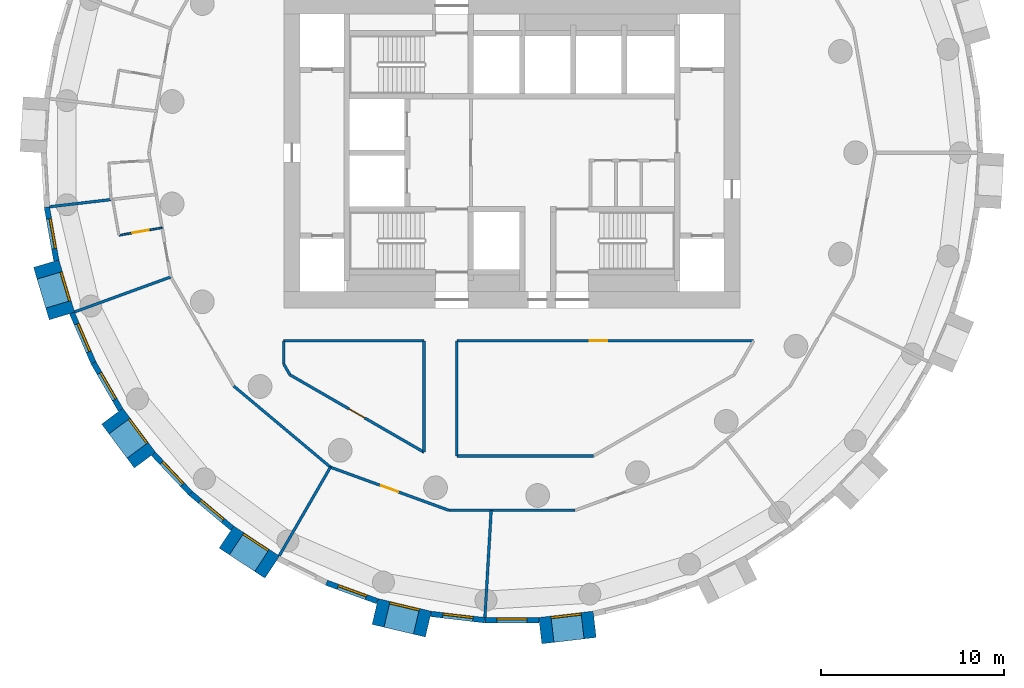
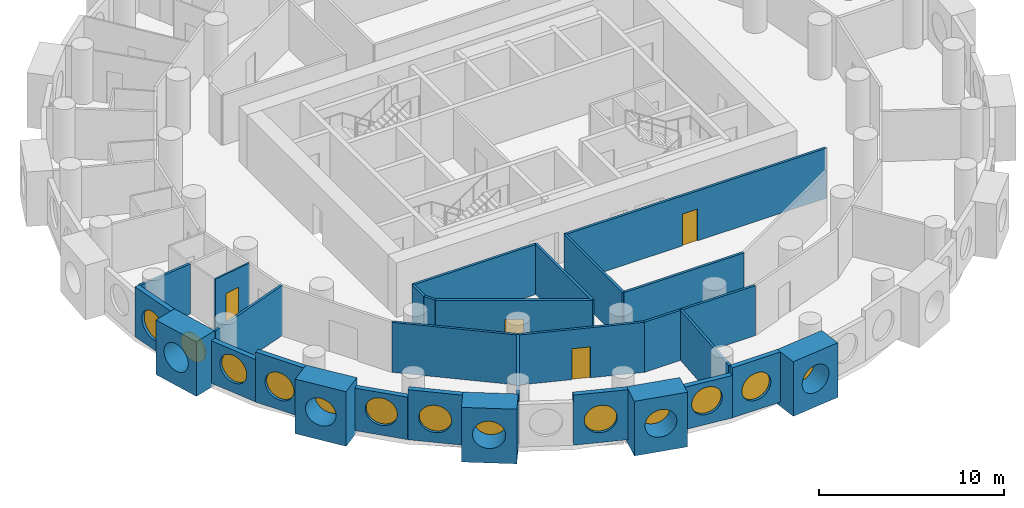
# One storey, part 2 of 10: 29 walls, 13 windows, 4 doors, 17 openings.
"""IFC4 building model written with IfcOpenShell, lengths in metres."""

from ifc_helpers import new_model, si_unit, direction, frame, frame_2d, origin, origin_2d, place, context, subcontext, project, spatial, rectangle, circle, extrude, material, layer, layer_set, type_object, element, fill, save


model = new_model("IFC4")

# Units and contexts
model_context = context("Model", 3, precision=1e-05, world=origin(), true_north=direction((0.0, 1.0)))
body_context = subcontext(model_context, "Body", "Model", "MODEL_VIEW")
ifc_project = project(units=[si_unit("LENGTHUNIT", "METRE"), si_unit("AREAUNIT", "SQUARE_METRE"), si_unit("VOLUMEUNIT", "CUBIC_METRE"), si_unit("PLANEANGLEUNIT", "RADIAN"), si_unit("MASSUNIT", "GRAM", prefix="KILO")], contexts=[model_context])

# Site, building, storey
site_placement = place(None, origin())
site = spatial("IfcSite", under=ifc_project, at=site_placement, CompositionType="ELEMENT")
building_placement = place(site_placement, origin())
building = spatial("IfcBuilding", under=site, at=building_placement, Name="Tracery Tower", CompositionType="ELEMENT")
storey_placement = place(building_placement, frame((0.0, 0.0, 136.800048828125)))
storey = spatial("IfcBuildingStorey", under=building, at=storey_placement, Name="L34", CompositionType="ELEMENT", Elevation=136.800048828125)

# Wall, opening, window
ifc_material_1 = material(Name="Precast concrete C50/60", Category="concrete")
ifc_layer_1 = layer(ifc_material_1, 1.449951171875)
ifc_layer_set_1 = layer_set([ifc_layer_1], Name="Deep-set bay unit 3000 x 3600, slab edge 300")
wall_type_1 = type_object("IfcWallType", Name="Deep-set bay unit 3000 x 3600, slab edge 300", PredefinedType="ELEMENTEDWALL", material=ifc_layer_set_1)
wall_1_placement = place(storey_placement, frame((-25.509521484375, -6.0712890625, -0.300048828125), z_axis=(0.0, 0.0, 1.0), x_axis=(0.286780420304, -0.957996341606, 0.0)))
wall_1 = element("IfcWall", 1, at=wall_1_placement, inside=storey, type_object=wall_type_1, Name="Deep-set bay unit 30 at L34", PredefinedType="ELEMENTEDWALL", context=body_context, shape_type="SweptSolid", body=[
    extrude(rectangle(XDim=3.0, YDim=1.449951171875, at=frame_2d((1.5, 0.0))), origin(), (0.0, 0.0, 1.0), 3.60009765625),
])
opening_1_placement = place(wall_1_placement, frame((1.5, 0.0, 1.85009765625)))
opening_1 = element("IfcOpeningElement", 2, at=opening_1_placement, cuts=wall_1, Name="Opening WN1", PredefinedType="OPENING", context=body_context, shape_type="SweptSolid", body=[
    extrude(circle(Radius=0.9000244140625, at=origin_2d()), frame((0.0, 0.73486328125, 0.0), z_axis=(0.0, -1.0, 0.0), x_axis=(1.0, 0.0, 0.0)), (0.0, 0.0, 1.0), 1.469970703125),
])
ifc_material_2 = material(Name="Aluminium frame with tinted double glazing", Category="aluminium")
window_type = type_object("IfcWindowType", Name="Round window 1800", PartitioningType="SINGLE_PANEL", PredefinedType="WINDOW", material=ifc_material_2)
window_1_placement = place(opening_1_placement, origin())
window_1 = element("IfcWindow", 3, at=window_1_placement, inside=storey, type_object=window_type, Name="Round window 30 at L34", OverallHeight=1.800048828125, OverallWidth=1.800048828125, PartitioningType="SINGLE_PANEL", PredefinedType="WINDOW", context=body_context, shape_type="SweptSolid", body=[
    extrude(circle(Radius=0.9000244140625, at=origin_2d()), frame((0.0, 0.69482421875, 0.0), z_axis=(0.0, -1.0, 0.0), x_axis=(1.0, 0.0, 0.0)), (0.0, 0.0, 1.0), 0.10009765625),
])
fill(opening_1, window_1)

wall_2_placement = place(storey_placement, frame((-21.89453125, -14.429931640625, -0.300048828125), z_axis=(0.0, 0.0, 1.0), x_axis=(0.597183717734, -0.802104486506, 0.0)))
wall_2 = element("IfcWall", 4, at=wall_2_placement, inside=storey, type_object=wall_type_1, Name="Deep-set bay unit 33 at L34", PredefinedType="ELEMENTEDWALL", context=body_context, shape_type="SweptSolid", body=[
    extrude(rectangle(XDim=3.0, YDim=1.449951171875, at=frame_2d((1.5, 0.0))), origin(), (0.0, 0.0, 1.0), 3.60009765625),
])
opening_2_placement = place(wall_2_placement, frame((1.5, 0.0, 1.85009765625)))
opening_2 = element("IfcOpeningElement", 5, at=opening_2_placement, cuts=wall_2, Name="Opening WN1", PredefinedType="OPENING", context=body_context, shape_type="SweptSolid", body=[
    extrude(circle(Radius=0.9000244140625, at=origin_2d()), frame((0.0, 0.73486328125, 0.0), z_axis=(0.0, -1.0, 0.0), x_axis=(1.0, 0.0, 0.0)), (0.0, 0.0, 1.0), 1.469970703125),
])
window_2_placement = place(opening_2_placement, origin())
window_2 = element("IfcWindow", 6, at=window_2_placement, inside=storey, type_object=window_type, Name="Round window 33 at L34", OverallHeight=1.800048828125, OverallWidth=1.800048828125, PartitioningType="SINGLE_PANEL", PredefinedType="WINDOW", context=body_context, shape_type="SweptSolid", body=[
    extrude(circle(Radius=0.9000244140625, at=origin_2d()), frame((0.0, 0.69482421875, 0.0), z_axis=(0.0, -1.0, 0.0), x_axis=(1.0, 0.0, 0.0)), (0.0, 0.0, 1.0), 0.10009765625),
])
fill(opening_2, window_2)

wall_3_placement = place(storey_placement, frame((-15.638916015625, -21.048095703125, -0.300048828125), z_axis=(0.0, 0.0, 1.0), x_axis=(0.835514416706, -0.549468524554, 0.0)))
wall_3 = element("IfcWall", 7, at=wall_3_placement, inside=storey, type_object=wall_type_1, Name="Deep-set bay unit 36 at L34", PredefinedType="ELEMENTEDWALL", context=body_context, shape_type="SweptSolid", body=[
    extrude(rectangle(XDim=3.0, YDim=1.449951171875, at=frame_2d((1.5, 0.0))), origin(), (0.0, 0.0, 1.0), 3.60009765625),
])
opening_3_placement = place(wall_3_placement, frame((1.5, 0.0, 1.85009765625)))
opening_3 = element("IfcOpeningElement", 8, at=opening_3_placement, cuts=wall_3, Name="Opening WN1", PredefinedType="OPENING", context=body_context, shape_type="SweptSolid", body=[
    extrude(circle(Radius=0.9000244140625, at=origin_2d()), frame((0.0, 0.73486328125, 0.0), z_axis=(0.0, -1.0, 0.0), x_axis=(1.0, 0.0, 0.0)), (0.0, 0.0, 1.0), 1.469970703125),
])
window_3_placement = place(opening_3_placement, origin())
window_3 = element("IfcWindow", 9, at=window_3_placement, inside=storey, type_object=window_type, Name="Round window 36 at L34", OverallHeight=1.800048828125, OverallWidth=1.800048828125, PartitioningType="SINGLE_PANEL", PredefinedType="WINDOW", context=body_context, shape_type="SweptSolid", body=[
    extrude(circle(Radius=0.9000244140625, at=origin_2d()), frame((0.0, 0.69482421875, 0.0), z_axis=(0.0, -1.0, 0.0), x_axis=(1.0, 0.0, 0.0)), (0.0, 0.0, 1.0), 0.10009765625),
])
fill(opening_3, window_3)

wall_4_placement = place(storey_placement, frame((-7.496826171875, -25.12744140625, -0.300048828125), z_axis=(0.0, 0.0, 1.0), x_axis=(0.973042333261, -0.23062657627, 0.0)))
wall_4 = element("IfcWall", 10, at=wall_4_placement, inside=storey, type_object=wall_type_1, Name="Deep-set bay unit 39 at L34", PredefinedType="ELEMENTEDWALL", context=body_context, shape_type="SweptSolid", body=[
    extrude(rectangle(XDim=3.0, YDim=1.449951171875, at=frame_2d((1.5, 0.0))), origin(), (0.0, 0.0, 1.0), 3.60009765625),
])
opening_4_placement = place(wall_4_placement, frame((1.5, 0.0, 1.85009765625)))
opening_4 = element("IfcOpeningElement", 11, at=opening_4_placement, cuts=wall_4, Name="Opening WN1", PredefinedType="OPENING", context=body_context, shape_type="SweptSolid", body=[
    extrude(circle(Radius=0.9000244140625, at=origin_2d()), frame((0.0, 0.73486328125, 0.0), z_axis=(0.0, -1.0, 0.0), x_axis=(1.0, 0.0, 0.0)), (0.0, 0.0, 1.0), 1.469970703125),
])
window_4_placement = place(opening_4_placement, origin())
window_4 = element("IfcWindow", 12, at=window_4_placement, inside=storey, type_object=window_type, Name="Round window 39 at L34", OverallHeight=1.800048828125, OverallWidth=1.800048828125, PartitioningType="SINGLE_PANEL", PredefinedType="WINDOW", context=body_context, shape_type="SweptSolid", body=[
    extrude(circle(Radius=0.9000244140625, at=origin_2d()), frame((0.0, 0.69482421875, 0.0), z_axis=(0.0, -1.0, 0.0), x_axis=(1.0, 0.0, 0.0)), (0.0, 0.0, 1.0), 0.10009765625),
])
fill(opening_4, window_4)

wall_5_placement = place(storey_placement, frame((1.54931640625, -26.17626953125, -0.300048828125), z_axis=(0.0, 0.0, 1.0), x_axis=(0.9932342274, 0.116128246006, 0.0)))
wall_5 = element("IfcWall", 13, at=wall_5_placement, inside=storey, type_object=wall_type_1, Name="Deep-set bay unit 42 at L34", PredefinedType="ELEMENTEDWALL", context=body_context, shape_type="SweptSolid", body=[
    extrude(rectangle(XDim=3.0, YDim=1.449951171875, at=frame_2d((1.5, 0.0))), origin(), (0.0, 0.0, 1.0), 3.60009765625),
])
opening_5_placement = place(wall_5_placement, frame((1.5, 0.0, 1.85009765625)))
opening_5 = element("IfcOpeningElement", 14, at=opening_5_placement, cuts=wall_5, Name="Opening WN1", PredefinedType="OPENING", context=body_context, shape_type="SweptSolid", body=[
    extrude(circle(Radius=0.9000244140625, at=origin_2d()), frame((0.0, 0.73486328125, 0.0), z_axis=(0.0, -1.0, 0.0), x_axis=(1.0, 0.0, 0.0)), (0.0, 0.0, 1.0), 1.469970703125),
])
window_5_placement = place(opening_5_placement, origin())
window_5 = element("IfcWindow", 15, at=window_5_placement, inside=storey, type_object=window_type, Name="Round window 42 at L34", OverallHeight=1.800048828125, OverallWidth=1.800048828125, PartitioningType="SINGLE_PANEL", PredefinedType="WINDOW", context=body_context, shape_type="SweptSolid", body=[
    extrude(circle(Radius=0.9000244140625, at=origin_2d()), frame((0.0, 0.69482421875, 0.0), z_axis=(0.0, -1.0, 0.0), x_axis=(1.0, 0.0, 0.0)), (0.0, 0.0, 1.0), 0.10009765625),
])
fill(opening_5, window_5)

ifc_material_3 = material(Name="Precast concrete C50/60", Category="concrete")
ifc_layer_2 = layer(ifc_material_3, 0.300048828125)
ifc_layer_set_2 = layer_set([ifc_layer_2], Name="Facade panel 3000 x 2800")
wall_type_2 = type_object("IfcWallType", Name="Facade panel 3000 x 2800", PredefinedType="SOLIDWALL", material=ifc_layer_set_2)
wall_6_placement = place(storey_placement, frame((-24.096923828125, -8.78076171875, 0.0), z_axis=(0.0, 0.0, 1.0), x_axis=(0.396078892785, -0.918216483565, 0.0)))
wall_6 = element("IfcWall", 16, at=wall_6_placement, inside=storey, type_object=wall_type_2, Name="Facade panel 31 at L34", PredefinedType="SOLIDWALL", context=body_context, shape_type="SweptSolid", body=[
    extrude(rectangle(XDim=2.972900390625, YDim=0.300048828125, at=frame_2d((1.486328125, 0.0))), origin(), (0.0, 0.0, 1.0), 2.800048828125),
])
opening_6_placement = place(wall_6_placement, frame((1.486328125, 0.0, 1.5498046875)))
opening_6 = element("IfcOpeningElement", 17, at=opening_6_placement, cuts=wall_6, Name="Opening WN1", PredefinedType="OPENING", context=body_context, shape_type="SweptSolid", body=[
    extrude(circle(Radius=0.9000244140625, at=origin_2d()), frame((0.0, 0.159912109375, 0.0), z_axis=(0.0, -1.0, 0.0), x_axis=(1.0, 0.0, 0.0)), (0.0, 0.0, 1.0), 0.320068359375),
])
window_6_placement = place(opening_6_placement, origin())
window_6 = element("IfcWindow", 18, at=window_6_placement, inside=storey, type_object=window_type, Name="Round window 31 at L34", OverallHeight=1.800048828125, OverallWidth=1.800048828125, PartitioningType="SINGLE_PANEL", PredefinedType="WINDOW", context=body_context, shape_type="SweptSolid", body=[
    extrude(circle(Radius=0.9000244140625, at=origin_2d()), frame((0.0, 0.1201171875, 0.0), z_axis=(0.0, -1.0, 0.0), x_axis=(1.0, 0.0, 0.0)), (0.0, 0.0, 1.0), 0.10009765625),
])
fill(opening_6, window_6)

wall_7_placement = place(storey_placement, frame((-19.640380859375, -16.492919921875, 0.0), z_axis=(0.0, 0.0, 1.0), x_axis=(0.686235184166, -0.727379730273, 0.0)))
wall_7 = element("IfcWall", 19, at=wall_7_placement, inside=storey, type_object=wall_type_2, Name="Facade panel 34 at L34", PredefinedType="SOLIDWALL", context=body_context, shape_type="SweptSolid", body=[
    extrude(rectangle(XDim=2.972900390625, YDim=0.300048828125, at=frame_2d((1.486328125, 0.0))), origin(), (0.0, 0.0, 1.0), 2.800048828125),
])
opening_7_placement = place(wall_7_placement, frame((1.486328125, 0.0, 1.5498046875)))
opening_7 = element("IfcOpeningElement", 20, at=opening_7_placement, cuts=wall_7, Name="Opening WN1", PredefinedType="OPENING", context=body_context, shape_type="SweptSolid", body=[
    extrude(circle(Radius=0.9000244140625, at=origin_2d()), frame((0.0, 0.159912109375, 0.0), z_axis=(0.0, -1.0, 0.0), x_axis=(1.0, 0.0, 0.0)), (0.0, 0.0, 1.0), 0.320068359375),
])
window_7_placement = place(opening_7_placement, origin())
window_7 = element("IfcWindow", 21, at=window_7_placement, inside=storey, type_object=window_type, Name="Round window 34 at L34", OverallHeight=1.800048828125, OverallWidth=1.800048828125, PartitioningType="SINGLE_PANEL", PredefinedType="WINDOW", context=body_context, shape_type="SweptSolid", body=[
    extrude(circle(Radius=0.9000244140625, at=origin_2d()), frame((0.0, 0.1201171875, 0.0), z_axis=(0.0, -1.0, 0.0), x_axis=(1.0, 0.0, 0.0)), (0.0, 0.0, 1.0), 0.10009765625),
])
fill(opening_7, window_7)

wall_8_placement = place(storey_placement, frame((-4.444091796875, -25.259033203125, 0.0), z_axis=(0.0, 0.0, 1.0), x_axis=(0.993245010522, -0.1160359818, 0.0)))
wall_8 = element("IfcWall", 22, at=wall_8_placement, inside=storey, type_object=wall_type_2, Name="Facade panel 40 at L34", PredefinedType="SOLIDWALL", context=body_context, shape_type="SweptSolid", body=[
    extrude(rectangle(XDim=2.972900390625, YDim=0.300048828125, at=frame_2d((1.486328125, 0.0))), origin(), (0.0, 0.0, 1.0), 2.800048828125),
])
opening_8_placement = place(wall_8_placement, frame((1.486328125, 0.0, 1.5498046875)))
opening_8 = element("IfcOpeningElement", 23, at=opening_8_placement, cuts=wall_8, Name="Opening WN1", PredefinedType="OPENING", context=body_context, shape_type="SweptSolid", body=[
    extrude(circle(Radius=0.9000244140625, at=origin_2d()), frame((0.0, 0.159912109375, 0.0), z_axis=(0.0, -1.0, 0.0), x_axis=(1.0, 0.0, 0.0)), (0.0, 0.0, 1.0), 0.320068359375),
])
window_8_placement = place(opening_8_placement, origin())
window_8 = element("IfcWindow", 24, at=window_8_placement, inside=storey, type_object=window_type, Name="Round window 40 at L34", OverallHeight=1.800048828125, OverallWidth=1.800048828125, PartitioningType="SINGLE_PANEL", PredefinedType="WINDOW", context=body_context, shape_type="SweptSolid", body=[
    extrude(circle(Radius=0.9000244140625, at=origin_2d()), frame((0.0, 0.1201171875, 0.0), z_axis=(0.0, -1.0, 0.0), x_axis=(1.0, 0.0, 0.0)), (0.0, 0.0, 1.0), 0.10009765625),
])
fill(opening_8, window_8)

ifc_material_4 = material(Name="Precast concrete C50/60", Category="concrete")
ifc_layer_3 = layer(ifc_material_4, 0.300048828125)
ifc_layer_set_3 = layer_set([ifc_layer_3], Name="Facade panel 3000 x 3300")
wall_type_3 = type_object("IfcWallType", Name="Facade panel 3000 x 3300", PredefinedType="SOLIDWALL", material=ifc_layer_set_3)
wall_9_placement = place(storey_placement, frame((-25.47412109375, -2.9775390625, 0.0), z_axis=(0.0, 0.0, 1.0), x_axis=(0.173686952598, -0.984800915159, 0.0)))
wall_9 = element("IfcWall", 25, at=wall_9_placement, inside=storey, type_object=wall_type_3, Name="Facade panel 29 at L34", PredefinedType="SOLIDWALL", context=body_context, shape_type="SweptSolid", body=[
    extrude(rectangle(XDim=2.972900390625, YDim=0.300048828125, at=frame_2d((1.486328125, 0.0))), origin(), (0.0, 0.0, 1.0), 3.300048828125),
])
opening_9_placement = place(wall_9_placement, frame((1.486328125, 0.0, 1.5498046875)))
opening_9 = element("IfcOpeningElement", 26, at=opening_9_placement, cuts=wall_9, Name="Opening WN1", PredefinedType="OPENING", context=body_context, shape_type="SweptSolid", body=[
    extrude(circle(Radius=0.9000244140625, at=origin_2d()), frame((0.0, 0.159912109375, 0.0), z_axis=(0.0, -1.0, 0.0), x_axis=(1.0, 0.0, 0.0)), (0.0, 0.0, 1.0), 0.320068359375),
])
window_9_placement = place(opening_9_placement, origin())
window_9 = element("IfcWindow", 27, at=window_9_placement, inside=storey, type_object=window_type, Name="Round window 29 at L34", OverallHeight=1.800048828125, OverallWidth=1.800048828125, PartitioningType="SINGLE_PANEL", PredefinedType="WINDOW", context=body_context, shape_type="SweptSolid", body=[
    extrude(circle(Radius=0.9000244140625, at=origin_2d()), frame((0.0, 0.1201171875, 0.0), z_axis=(0.0, -1.0, 0.0), x_axis=(1.0, 0.0, 0.0)), (0.0, 0.0, 1.0), 0.10009765625),
])
fill(opening_9, window_9)

wall_10_placement = place(storey_placement, frame((-22.91943359375, -11.510498046875, 0.0), z_axis=(0.0, 0.0, 1.0), x_axis=(0.500016263033, -0.866016014115, 0.0)))
wall_10 = element("IfcWall", 28, at=wall_10_placement, inside=storey, type_object=wall_type_3, Name="Facade panel 32 at L34", PredefinedType="SOLIDWALL", context=body_context, shape_type="SweptSolid", body=[
    extrude(rectangle(XDim=2.97314453125, YDim=0.300048828125, at=frame_2d((1.486572265625, 0.0))), origin(), (0.0, 0.0, 1.0), 3.300048828125),
])
opening_10_placement = place(wall_10_placement, frame((1.486328125, 0.0, 1.5498046875)))
opening_10 = element("IfcOpeningElement", 29, at=opening_10_placement, cuts=wall_10, Name="Opening WN1", PredefinedType="OPENING", context=body_context, shape_type="SweptSolid", body=[
    extrude(circle(Radius=0.9000244140625, at=origin_2d()), frame((0.0, 0.159912109375, 0.0), z_axis=(0.0, -1.0, 0.0), x_axis=(1.0, 0.0, 0.0)), (0.0, 0.0, 1.0), 0.320068359375),
])
window_10_placement = place(opening_10_placement, origin())
window_10 = element("IfcWindow", 30, at=window_10_placement, inside=storey, type_object=window_type, Name="Round window 32 at L34", OverallHeight=1.800048828125, OverallWidth=1.800048828125, PartitioningType="SINGLE_PANEL", PredefinedType="WINDOW", context=body_context, shape_type="SweptSolid", body=[
    extrude(circle(Radius=0.9000244140625, at=origin_2d()), frame((0.0, 0.1201171875, 0.0), z_axis=(0.0, -1.0, 0.0), x_axis=(1.0, 0.0, 0.0)), (0.0, 0.0, 1.0), 0.10009765625),
])
fill(opening_10, window_10)

wall_11_placement = place(storey_placement, frame((-17.600341796875, -18.6552734375, 0.0), z_axis=(0.0, 0.0, 1.0), x_axis=(0.766049350637, -0.642781761089, 0.0)))
wall_11 = element("IfcWall", 31, at=wall_11_placement, inside=storey, type_object=wall_type_3, Name="Facade panel 35 at L34", PredefinedType="SOLIDWALL", context=body_context, shape_type="SweptSolid", body=[
    extrude(rectangle(XDim=2.972900390625, YDim=0.300048828125, at=frame_2d((1.486328125, 0.0))), origin(), (0.0, 0.0, 1.0), 3.300048828125),
])
opening_11_placement = place(wall_11_placement, frame((1.486328125, 0.0, 1.5498046875)))
opening_11 = element("IfcOpeningElement", 32, at=opening_11_placement, cuts=wall_11, Name="Opening WN1", PredefinedType="OPENING", context=body_context, shape_type="SweptSolid", body=[
    extrude(circle(Radius=0.9000244140625, at=origin_2d()), frame((0.0, 0.159912109375, 0.0), z_axis=(0.0, -1.0, 0.0), x_axis=(1.0, 0.0, 0.0)), (0.0, 0.0, 1.0), 0.320068359375),
])
window_11_placement = place(opening_11_placement, origin())
window_11 = element("IfcWindow", 33, at=window_11_placement, inside=storey, type_object=window_type, Name="Round window 35 at L34", OverallHeight=1.800048828125, OverallWidth=1.800048828125, PartitioningType="SINGLE_PANEL", PredefinedType="WINDOW", context=body_context, shape_type="SweptSolid", body=[
    extrude(circle(Radius=0.9000244140625, at=origin_2d()), frame((0.0, 0.1201171875, 0.0), z_axis=(0.0, -1.0, 0.0), x_axis=(1.0, 0.0, 0.0)), (0.0, 0.0, 1.0), 0.10009765625),
])
fill(opening_11, window_11)

wall_12_placement = place(storey_placement, frame((-10.158447265625, -23.5498046875, 0.0), z_axis=(0.0, 0.0, 1.0), x_axis=(0.939690282133, -0.342026568652, 0.0)))
wall_12 = element("IfcWall", 34, at=wall_12_placement, inside=storey, type_object=wall_type_3, Name="Facade panel 38 at L34", PredefinedType="SOLIDWALL", context=body_context, shape_type="SweptSolid", body=[
    extrude(rectangle(XDim=2.972900390625, YDim=0.300048828125, at=frame_2d((1.486328125, 0.0))), origin(), (0.0, 0.0, 1.0), 3.300048828125),
])
opening_12_placement = place(wall_12_placement, frame((1.486328125, 0.0, 1.5498046875)))
opening_12 = element("IfcOpeningElement", 35, at=opening_12_placement, cuts=wall_12, Name="Opening WN1", PredefinedType="OPENING", context=body_context, shape_type="SweptSolid", body=[
    extrude(circle(Radius=0.9000244140625, at=origin_2d()), frame((0.0, 0.159912109375, 0.0), z_axis=(0.0, -1.0, 0.0), x_axis=(1.0, 0.0, 0.0)), (0.0, 0.0, 1.0), 0.320068359375),
])
window_12_placement = place(opening_12_placement, origin())
window_12 = element("IfcWindow", 36, at=window_12_placement, inside=storey, type_object=window_type, Name="Round window 38 at L34", OverallHeight=1.800048828125, OverallWidth=1.800048828125, PartitioningType="SINGLE_PANEL", PredefinedType="WINDOW", context=body_context, shape_type="SweptSolid", body=[
    extrude(circle(Radius=0.9000244140625, at=origin_2d()), frame((0.0, 0.1201171875, 0.0), z_axis=(0.0, -1.0, 0.0), x_axis=(1.0, 0.0, 0.0)), (0.0, 0.0, 1.0), 0.10009765625),
])
fill(opening_12, window_12)

wall_13_placement = place(storey_placement, frame((-1.4912109375, -25.60400390625, 0.0), z_axis=(0.0, 0.0, 1.0), x_axis=(1.0, 0.0, 0.0)))
wall_13 = element("IfcWall", 37, at=wall_13_placement, inside=storey, type_object=wall_type_3, Name="Facade panel 41 at L34", PredefinedType="SOLIDWALL", context=body_context, shape_type="SweptSolid", body=[
    extrude(rectangle(XDim=2.972900390625, YDim=0.300048828125, at=frame_2d((1.486328125, 0.0))), origin(), (0.0, 0.0, 1.0), 3.300048828125),
])
opening_13_placement = place(wall_13_placement, frame((1.486328125, 0.0, 1.5498046875)))
opening_13 = element("IfcOpeningElement", 38, at=opening_13_placement, cuts=wall_13, Name="Opening WN1", PredefinedType="OPENING", context=body_context, shape_type="SweptSolid", body=[
    extrude(circle(Radius=0.9000244140625, at=origin_2d()), frame((0.0, 0.159912109375, 0.0), z_axis=(0.0, -1.0, 0.0), x_axis=(1.0, 0.0, 0.0)), (0.0, 0.0, 1.0), 0.320068359375),
])
window_13_placement = place(opening_13_placement, origin())
window_13 = element("IfcWindow", 39, at=window_13_placement, inside=storey, type_object=window_type, Name="Round window 41 at L34", OverallHeight=1.800048828125, OverallWidth=1.800048828125, PartitioningType="SINGLE_PANEL", PredefinedType="WINDOW", context=body_context, shape_type="SweptSolid", body=[
    extrude(circle(Radius=0.9000244140625, at=origin_2d()), frame((0.0, 0.1201171875, 0.0), z_axis=(0.0, -1.0, 0.0), x_axis=(1.0, 0.0, 0.0)), (0.0, 0.0, 1.0), 0.10009765625),
])
fill(opening_13, window_13)

# Wall, opening, door
ifc_material_5 = material(Name="Plasterboard on steel studs", Category="steel")
ifc_layer_4 = layer(ifc_material_5, 0.10009765625)
ifc_layer_set_4 = layer_set([ifc_layer_4], Name="Partition 100 wet wall")
wall_type_4 = type_object("IfcWallType", Name="Partition 100 wet wall", PredefinedType="PARTITIONING", material=ifc_layer_set_4)
wall_14_placement = place(storey_placement, frame((-21.527099609375, -4.52392578125, 0.0), z_axis=(0.0, 0.0, 1.0), x_axis=(0.9848663854, 0.173315327969, 0.0)))
wall_14 = element("IfcWall", 40, at=wall_14_placement, inside=storey, type_object=wall_type_4, Name="Wet wall RB2-075", PredefinedType="PARTITIONING", context=body_context, shape_type="SweptSolid", body=[
    extrude(rectangle(XDim=2.400390625, YDim=0.10009765625, at=frame_2d((1.2001953125, 0.0))), origin(), (0.0, 0.0, 1.0), 3.300048828125),
])
opening_14_placement = place(wall_14_placement, frame((0.75, 0.0, 0.0)))
opening_14 = element("IfcOpeningElement", 41, at=opening_14_placement, cuts=wall_14, Name="Opening RB2-26", PredefinedType="OPENING", context=body_context, shape_type="SweptSolid", body=[
    extrude(rectangle(XDim=0.89990234375, YDim=2.0400390625, at=frame_2d((0.449951171875, 1.02001953125))), frame((0.0, 0.050048828125, 0.0), z_axis=(0.0, -1.0, 0.0), x_axis=(1.0, 0.0, 0.0)), (0.0, 0.0, 1.0), 0.10009765625),
])
ifc_material_6 = material(Name="Timber door leaf", Category="wood")
door_type_1 = type_object("IfcDoorType", Name="Door en-suite 900", OperationType="NOTDEFINED", PredefinedType="DOOR", material=ifc_material_6)
door_1_placement = place(opening_14_placement, origin())
door_1 = element("IfcDoor", 42, at=door_1_placement, inside=storey, type_object=door_type_1, Name="En-suite door RB2-26", OperationType="SINGLE_SWING_LEFT", OverallHeight=2.0400390625, OverallWidth=0.89990234375, PredefinedType="DOOR", context=body_context, shape_type="SweptSolid", body=[
    extrude(rectangle(XDim=0.89990234375, YDim=2.0400390625, at=frame_2d((0.449951171875, 1.02001953125))), frame((0.0, 0.02490234375, 0.0), z_axis=(0.0, -1.0, 0.0), x_axis=(1.0, 0.0, 0.0)), (0.0, 0.0, 1.0), 0.050048828125),
])
fill(opening_14, door_1)

# Walls
ifc_material_7 = material(Name="Plasterboard on steel studs", Category="steel")
ifc_layer_5 = layer(ifc_material_7, 0.14990234375)
ifc_layer_set_5 = layer_set([ifc_layer_5], Name="Partition 150 acoustic unit wall")
wall_type_5 = type_object("IfcWallType", Name="Partition 150 acoustic unit wall", PredefinedType="PARTITIONING", material=ifc_layer_set_5)
wall_15_placement = place(storey_placement, frame((-25.324951171875, -2.9599609375, 0.0), z_axis=(0.0, 0.0, 1.0), x_axis=(0.993238911344, 0.11608817766, 0.0)))
element("IfcWall", 43, at=wall_15_placement, inside=storey, type_object=wall_type_5, Name="Unit wall RB2-072", PredefinedType="PARTITIONING", context=body_context, shape_type="SweptSolid", body=[
    extrude(rectangle(XDim=3.385986328125, YDim=0.14990234375, at=frame_2d((1.69287109375, 0.0))), origin(), (0.0, 0.0, 1.0), 3.300048828125),
])
wall_16_placement = place(storey_placement, frame((-23.9599609375, -8.720947265625, 0.0), z_axis=(0.0, 0.0, 1.0), x_axis=(0.939686652043, 0.342036541866, 0.0)))
element("IfcWall", 44, at=wall_16_placement, inside=storey, type_object=wall_type_5, Name="Unit wall RB2-076", PredefinedType="PARTITIONING", context=body_context, shape_type="SweptSolid", body=[
    extrude(rectangle(XDim=5.6103515625, YDim=0.14990234375, at=frame_2d((2.80517578125, 0.0))), origin(), (0.0, 0.0, 1.0), 3.300048828125),
])
wall_17_placement = place(storey_placement, frame((-12.7490234375, -22.0810546875, 0.0), z_axis=(0.0, 0.0, 1.0), x_axis=(0.500010020406, 0.866019618423, 0.0)))
element("IfcWall", 45, at=wall_17_placement, inside=storey, type_object=wall_type_5, Name="Unit wall RB2-077", PredefinedType="PARTITIONING", context=body_context, shape_type="SweptSolid", body=[
    extrude(rectangle(XDim=5.60986328125, YDim=0.14990234375, at=frame_2d((2.804931640625, 0.0))), origin(), (0.0, 0.0, 1.0), 3.300048828125),
])
wall_18_placement = place(storey_placement, frame((-1.48291015625, -25.4541015625, 0.0), z_axis=(0.0, 0.0, 1.0), x_axis=(0.058147412668, 0.998308007781, 0.0)))
element("IfcWall", 46, at=wall_18_placement, inside=storey, type_object=wall_type_5, Name="Unit wall RB2-078", PredefinedType="PARTITIONING", context=body_context, shape_type="SweptSolid", body=[
    extrude(rectangle(XDim=5.878173828125, YDim=0.14990234375, at=frame_2d((2.93896484375, 0.0))), origin(), (0.0, 0.0, 1.0), 3.300048828125),
])
ifc_material_8 = material(Name="Plasterboard on steel studs", Category="steel")
ifc_layer_6 = layer(ifc_material_8, 0.14990234375)
ifc_layer_set_6 = layer_set([ifc_layer_6], Name="Partition 150 corridor wall")
wall_type_6 = type_object("IfcWallType", Name="Partition 150 corridor wall", PredefinedType="PARTITIONING", material=ifc_layer_set_6)
wall_19_placement = place(storey_placement, frame((-12.50390625, -10.300048828125, 0.0), z_axis=(0.0, 0.0, 1.0), x_axis=(1.0, 0.0, 0.0)))
element("IfcWall", 47, at=wall_19_placement, inside=storey, type_object=wall_type_6, Name="Corridor wall RB2-003", PredefinedType="PARTITIONING", context=body_context, shape_type="SweptSolid", body=[
    extrude(rectangle(XDim=7.68701171875, YDim=0.14990234375, at=frame_2d((3.843505859375, 0.0))), origin(), (0.0, 0.0, 1.0), 3.300048828125),
])

# Wall, opening, door
wall_20_placement = place(storey_placement, frame((-3.02490234375, -10.300048828125, 0.0), z_axis=(0.0, 0.0, 1.0), x_axis=(1.0, 0.0, 0.0)))
wall_20 = element("IfcWall", 48, at=wall_20_placement, inside=storey, type_object=wall_type_6, Name="Corridor wall RB2-004", PredefinedType="PARTITIONING", context=body_context, shape_type="SweptSolid", body=[
    extrude(rectangle(XDim=16.261962890625, YDim=0.14990234375, at=frame_2d((8.130859375, 0.0))), origin(), (0.0, 0.0, 1.0), 3.300048828125),
])
opening_15_placement = place(wall_20_placement, frame((7.287109375, 0.0, 0.0)))
opening_15 = element("IfcOpeningElement", 49, at=opening_15_placement, cuts=wall_20, Name="Opening RB2-04", PredefinedType="OPENING", context=body_context, shape_type="SweptSolid", body=[
    extrude(rectangle(XDim=0.949951171875, YDim=2.10009765625, at=frame_2d((0.47509765625, 1.050048828125))), frame((0.0, 0.074951171875, 0.0), z_axis=(0.0, -1.0, 0.0), x_axis=(1.0, 0.0, 0.0)), (0.0, 0.0, 1.0), 0.14990234375),
])
ifc_material_9 = material(Name="Timber door leaf", Category="wood")
door_type_2 = type_object("IfcDoorType", Name="Door store 950", OperationType="NOTDEFINED", PredefinedType="DOOR", material=ifc_material_9)
door_2_placement = place(opening_15_placement, origin())
door_2 = element("IfcDoor", 50, at=door_2_placement, inside=storey, type_object=door_type_2, Name="Store door RB2-04", OperationType="SINGLE_SWING_RIGHT", OverallHeight=2.10009765625, OverallWidth=0.949951171875, PredefinedType="DOOR", context=body_context, shape_type="SweptSolid", body=[
    extrude(rectangle(XDim=0.949951171875, YDim=2.10009765625, at=frame_2d((0.47509765625, 1.050048828125))), frame((0.0, 0.02490234375, 0.0), z_axis=(0.0, -1.0, 0.0), x_axis=(1.0, 0.0, 0.0)), (0.0, 0.0, 1.0), 0.050048828125),
])
fill(opening_15, door_2)

# Walls
wall_21_placement = place(storey_placement, frame((-12.5, -11.576904296875, 0.0), z_axis=(0.0, 0.0, 1.0), x_axis=(0.0, 1.0, 0.0)))
element("IfcWall", 51, at=wall_21_placement, inside=storey, type_object=wall_type_6, Name="Corridor wall RB2-024", PredefinedType="PARTITIONING", context=body_context, shape_type="SweptSolid", body=[
    extrude(rectangle(XDim=1.27685546875, YDim=0.14990234375, at=frame_2d((0.638427734375, 0.0))), origin(), (0.0, 0.0, 1.0), 3.300048828125),
])
wall_22_placement = place(storey_placement, frame((-12.5, -11.576904296875, 0.0), z_axis=(0.0, 0.0, 1.0), x_axis=(0.500024767483, -0.866011103799, 0.0)))
element("IfcWall", 52, at=wall_22_placement, inside=storey, type_object=wall_type_6, Name="Corridor wall RB2-025", PredefinedType="PARTITIONING", context=body_context, shape_type="SweptSolid", body=[
    extrude(rectangle(XDim=0.67578125, YDim=0.14990234375, at=frame_2d((0.337890625, 0.0))), origin(), (0.0, 0.0, 1.0), 3.300048828125),
])
wall_23_placement = place(storey_placement, frame((-15.235107421875, -12.783935546875, 0.0), z_axis=(0.0, 0.0, 1.0), x_axis=(0.766192104565, -0.642611592567, 0.0)))
element("IfcWall", 53, at=wall_23_placement, inside=storey, type_object=wall_type_6, Name="Corridor wall RB2-030", PredefinedType="PARTITIONING", context=body_context, shape_type="SweptSolid", body=[
    extrude(rectangle(XDim=6.906494140625, YDim=0.14990234375, at=frame_2d((3.453125, 0.0))), origin(), (0.0, 0.0, 1.0), 3.300048828125),
])

# Wall, opening, door
wall_24_placement = place(storey_placement, frame((-12.162109375, -12.162109375, 0.0), z_axis=(0.0, 0.0, 1.0), x_axis=(0.866004766557, -0.500035743023, 0.0)))
wall_24 = element("IfcWall", 54, at=wall_24_placement, inside=storey, type_object=wall_type_6, Name="Corridor wall RB2-032", PredefinedType="PARTITIONING", context=body_context, shape_type="SweptSolid", body=[
    extrude(rectangle(XDim=8.47705078125, YDim=0.14990234375, at=frame_2d((4.238525390625, 0.0))), origin(), (0.0, 0.0, 1.0), 3.300048828125),
])
opening_16_placement = place(wall_24_placement, frame((3.738037109375, 0.0, 0.0)))
opening_16 = element("IfcOpeningElement", 55, at=opening_16_placement, cuts=wall_24, Name="Opening RB2-03", PredefinedType="OPENING", context=body_context, shape_type="SweptSolid", body=[
    extrude(rectangle(XDim=1.0, YDim=2.0400390625, at=frame_2d((0.5, 1.02001953125))), frame((0.0, 0.074951171875, 0.0), z_axis=(0.0, -1.0, 0.0), x_axis=(1.0, 0.0, 0.0)), (0.0, 0.0, 1.0), 0.14990234375),
])
ifc_material_10 = material(Name="Timber door leaf", Category="wood")
door_type_3 = type_object("IfcDoorType", Name="Door communal room 1000", OperationType="NOTDEFINED", PredefinedType="DOOR", material=ifc_material_10)
door_3_placement = place(opening_16_placement, origin())
door_3 = element("IfcDoor", 56, at=door_3_placement, inside=storey, type_object=door_type_3, Name="Communal room door RB2-03", OperationType="SINGLE_SWING_LEFT", OverallHeight=2.0400390625, OverallWidth=1.0, PredefinedType="DOOR", context=body_context, shape_type="SweptSolid", body=[
    extrude(rectangle(XDim=1.0, YDim=2.0400390625, at=frame_2d((0.5, 1.02001953125))), frame((0.0, 0.02490234375, 0.0), z_axis=(0.0, -1.0, 0.0), x_axis=(1.0, 0.0, 0.0)), (0.0, 0.0, 1.0), 0.050048828125),
])
fill(opening_16, door_3)

# Walls
wall_25_placement = place(storey_placement, frame((-4.821044921875, -16.40087890625, 0.0), z_axis=(0.0, 0.0, 1.0), x_axis=(0.0, 1.0, 0.0)))
element("IfcWall", 57, at=wall_25_placement, inside=storey, type_object=wall_type_6, Name="Corridor wall RB2-033", PredefinedType="PARTITIONING", context=body_context, shape_type="SweptSolid", body=[
    extrude(rectangle(XDim=6.100830078125, YDim=0.14990234375, at=frame_2d((3.05029296875, 0.0))), origin(), (0.0, 0.0, 1.0), 3.300048828125),
])
wall_26_placement = place(storey_placement, frame((-3.02099609375, -16.614013671875, 0.0), z_axis=(0.0, 0.0, 1.0), x_axis=(0.0, 1.0, 0.0)))
element("IfcWall", 58, at=wall_26_placement, inside=storey, type_object=wall_type_6, Name="Corridor wall RB2-034", PredefinedType="PARTITIONING", context=body_context, shape_type="SweptSolid", body=[
    extrude(rectangle(XDim=6.31396484375, YDim=0.14990234375, at=frame_2d((3.156982421875, 0.0))), origin(), (0.0, 0.0, 1.0), 3.300048828125),
])
wall_27_placement = place(storey_placement, frame((-3.02099609375, -16.614013671875, 0.0), z_axis=(0.0, 0.0, 1.0), x_axis=(1.0, 0.0, 0.0)))
element("IfcWall", 59, at=wall_27_placement, inside=storey, type_object=wall_type_6, Name="Corridor wall RB2-035", PredefinedType="PARTITIONING", context=body_context, shape_type="SweptSolid", body=[
    extrude(rectangle(XDim=7.472900390625, YDim=0.14990234375, at=frame_2d((3.736328125, 0.0))), origin(), (0.0, 0.0, 1.0), 3.300048828125),
])
wall_28_placement = place(storey_placement, frame((-3.452880859375, -19.5859375, 0.0), z_axis=(0.0, 0.0, 1.0), x_axis=(1.0, 0.0, 0.0)))
element("IfcWall", 60, at=wall_28_placement, inside=storey, type_object=wall_type_6, Name="Corridor wall RB2-037", PredefinedType="PARTITIONING", context=body_context, shape_type="SweptSolid", body=[
    extrude(rectangle(XDim=6.90576171875, YDim=0.14990234375, at=frame_2d((3.452880859375, 0.0))), origin(), (0.0, 0.0, 1.0), 3.300048828125),
])

# Wall, opening, door
wall_29_placement = place(storey_placement, frame((-9.944091796875, -17.222900390625, 0.0), z_axis=(0.0, 0.0, 1.0), x_axis=(0.939672634566, -0.342075050021, 0.0)))
wall_29 = element("IfcWall", 61, at=wall_29_placement, inside=storey, type_object=wall_type_6, Name="Corridor wall RB2-038", PredefinedType="PARTITIONING", context=body_context, shape_type="SweptSolid", body=[
    extrude(rectangle(XDim=6.907958984375, YDim=0.14990234375, at=frame_2d((3.4541015625, 0.0))), origin(), (0.0, 0.0, 1.0), 3.300048828125),
])
opening_17_placement = place(wall_29_placement, frame((2.95361328125, 0.0, 0.0)))
opening_17 = element("IfcOpeningElement", 62, at=opening_17_placement, cuts=wall_29, Name="Opening RB2-29", PredefinedType="OPENING", context=body_context, shape_type="SweptSolid", body=[
    extrude(rectangle(XDim=1.0, YDim=2.0400390625, at=frame_2d((0.5, 1.02001953125))), frame((0.0, 0.074951171875, 0.0), z_axis=(0.0, -1.0, 0.0), x_axis=(1.0, 0.0, 0.0)), (0.0, 0.0, 1.0), 0.14990234375),
])
door_4_placement = place(opening_17_placement, origin())
door_4 = element("IfcDoor", 63, at=door_4_placement, inside=storey, type_object=door_type_3, Name="Communal room door RB2-29", OperationType="SINGLE_SWING_RIGHT", OverallHeight=2.0400390625, OverallWidth=1.0, PredefinedType="DOOR", context=body_context, shape_type="SweptSolid", body=[
    extrude(rectangle(XDim=1.0, YDim=2.0400390625, at=frame_2d((0.5, 1.02001953125))), frame((0.0, 0.02490234375, 0.0), z_axis=(0.0, -1.0, 0.0), x_axis=(1.0, 0.0, 0.0)), (0.0, 0.0, 1.0), 0.050048828125),
])
fill(opening_17, door_4)

save(model, "model.ifc")
